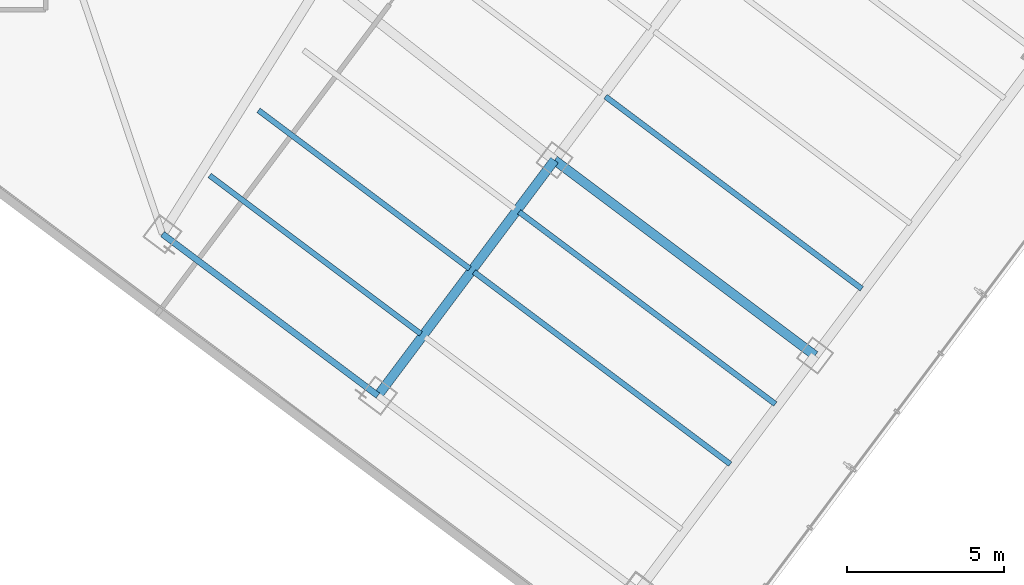
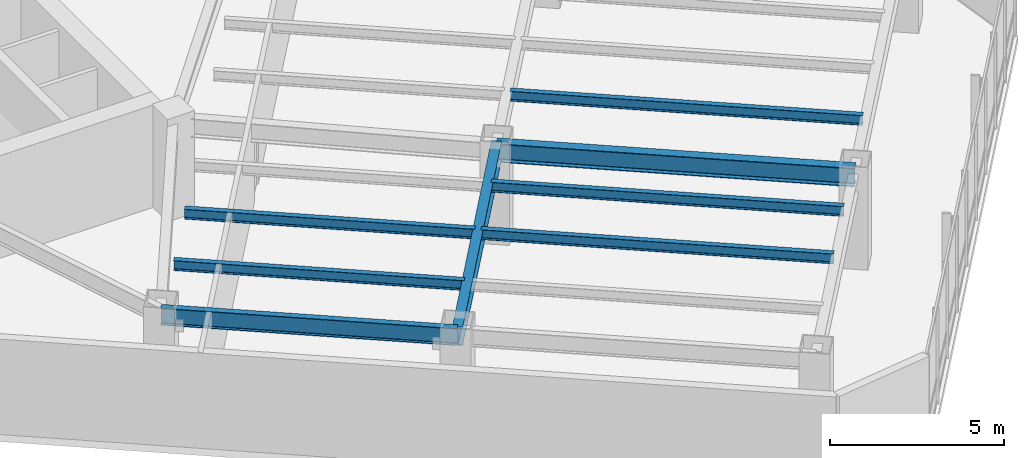
# One storey, part 7 of 29: 8 beams.
"""IFC4 building model written with IfcOpenShell, lengths in metres."""

from ifc_helpers import new_model, si_unit, direction, frame, origin, origin_2d, place, context, subcontext, project, spatial, i_section, extrude, material, material_profile, profile_set, type_object, element, save


model = new_model("IFC4")

# Units and contexts
model_context = context("Model", 3, precision=1e-05, world=origin(), true_north=direction((0.0, 1.0)))
body_context = subcontext(model_context, "Body", "Model", "MODEL_VIEW")
ifc_project = project(units=[si_unit("LENGTHUNIT", "METRE"), si_unit("AREAUNIT", "SQUARE_METRE"), si_unit("VOLUMEUNIT", "CUBIC_METRE"), si_unit("PLANEANGLEUNIT", "RADIAN"), si_unit("MASSUNIT", "GRAM", prefix="KILO")], contexts=[model_context])

# Site, building, storey
site_placement = place(None, origin())
site = spatial("IfcSite", under=ifc_project, at=site_placement, CompositionType="ELEMENT")
building_placement = place(site_placement, origin())
building = spatial("IfcBuilding", under=site, at=building_placement, Name="Hatsunagi Terrace Concourse", CompositionType="ELEMENT")
storey_placement = place(building_placement, frame((0.0, 0.0, 115.64990234375)))
storey = spatial("IfcBuildingStorey", under=building, at=storey_placement, Name="L30", CompositionType="ELEMENT", Elevation=115.64990234375)

# Beams
ifc_material_1 = material(Name="Steel SN490B", Category="steel")
ifc_material_profile_1 = material_profile(ifc_material_1, i_section(OverallWidth=0.175048828125, OverallDepth=0.35009765625, WebThickness=0.007080078125, FlangeThickness=0.010986328125, FilletRadius=0.012939453125, at=origin_2d()), Name="H-350x175x7x11")
ifc_profile_set_1 = profile_set([ifc_material_profile_1], Name="Steel SN490B")
beam_type_1 = type_object("IfcBeamType", Name="HotelJoist_H_350x175", PredefinedType="JOIST", material=ifc_profile_set_1)
for number, where, z_axis, x_axis, name in (
    (1, (40.18798828125, 17.908935546875, 3.175048828125), (0.800003475366, -0.59999536615, 0.0), (0.59999536615, 0.800003475366, 0.0), "Beam J-02 J-L30-SE-2-46"),
    (2, (41.748046875, 19.989013671875, 3.175048828125), (0.799989573921, -0.600013901187, 0.0), (0.600013901187, 0.799989573921, 0.0), "Beam J-02 J-L30-SE-2-72"),
):
    element("IfcBeam", number, at=place(storey_placement, frame(where, z_axis=z_axis, x_axis=x_axis)), inside=storey, type_object=beam_type_1, Name=name, PredefinedType="JOIST", context=body_context, shape_type="SweptSolid", body=[
        extrude(i_section(OverallWidth=0.175048828125, OverallDepth=0.35009765625, WebThickness=0.007080078125, FlangeThickness=0.010986328125, FilletRadius=0.012939453125, at=origin_2d()), origin(), (0.0, 0.0, 1.0), 8.429931640625),
    ])
beam_1_placement = place(storey_placement, frame((48.6279296875, 14.8291015625, 3.175048828125), z_axis=(0.799994272423, -0.600007636694, 0.0), x_axis=(0.600007636694, 0.799994272423, 0.0)))
element("IfcBeam", 3, at=beam_1_placement, inside=storey, type_object=beam_type_1, Name="Beam J-02 J-L30-SE-3-72", PredefinedType="JOIST", context=body_context, shape_type="SweptSolid", body=[
    extrude(i_section(OverallWidth=0.175048828125, OverallDepth=0.35009765625, WebThickness=0.007080078125, FlangeThickness=0.010986328125, FilletRadius=0.012939453125, at=origin_2d()), origin(), (0.0, 0.0, 1.0), 10.230224609375),
])
beam_2_placement = place(storey_placement, frame((50.068115234375, 16.7490234375, 3.175048828125), z_axis=(0.799997136125, -0.600003818481, 0.0), x_axis=(0.600003818481, 0.799997136125, 0.0)))
element("IfcBeam", 4, at=beam_2_placement, inside=storey, type_object=beam_type_1, Name="Beam J-02 J-L30-SE-3-96", PredefinedType="JOIST", context=body_context, shape_type="SweptSolid", body=[
    extrude(i_section(OverallWidth=0.175048828125, OverallDepth=0.35009765625, WebThickness=0.007080078125, FlangeThickness=0.010986328125, FilletRadius=0.012939453125, at=origin_2d()), origin(), (0.0, 0.0, 1.0), 10.229736328125),
])
beam_3_placement = place(storey_placement, frame((52.827880859375, 20.428955078125, 3.175048828125), z_axis=(0.800005727586, -0.599992363142, 0.0), x_axis=(0.599992363142, 0.800005727586, 0.0)))
element("IfcBeam", 5, at=beam_3_placement, inside=storey, type_object=beam_type_1, Name="Beam J-02 J-L30-SE-3-142", PredefinedType="JOIST", context=body_context, shape_type="SweptSolid", body=[
    extrude(i_section(OverallWidth=0.175048828125, OverallDepth=0.35009765625, WebThickness=0.007080078125, FlangeThickness=0.010986328125, FilletRadius=0.012939453125, at=origin_2d()), origin(), (0.0, 0.0, 1.0), 10.22998046875),
])
ifc_material_2 = material(Name="Steel SN490B", Category="steel")
ifc_material_profile_2 = material_profile(ifc_material_2, i_section(OverallWidth=0.300048828125, OverallDepth=0.64990234375, WebThickness=0.012939453125, FlangeThickness=0.02197265625, FilletRadius=0.01806640625, at=origin_2d()), Name="H-650x300x13x22")
ifc_profile_set_2 = profile_set([ifc_material_profile_2], Name="Steel SN490B")
beam_type_2 = type_object("IfcBeamType", Name="OfficeLowGirder_H_650x300", PredefinedType="BEAM", material=ifc_profile_set_2)
beam_4_placement = place(storey_placement, frame((45.56005859375, 10.8798828125, 3.025146484375), z_axis=(0.599991688754, 0.800006233367, 0.0), x_axis=(-0.800006233367, 0.599991688754, 0.0)))
element("IfcBeam", 6, at=beam_4_placement, inside=storey, type_object=beam_type_2, Name="Beam G-05 BM-L30-SET-2A", PredefinedType="BEAM", context=body_context, shape_type="SweptSolid", body=[
    extrude(i_section(OverallWidth=0.300048828125, OverallDepth=0.64990234375, WebThickness=0.012939453125, FlangeThickness=0.02197265625, FilletRadius=0.01806640625, at=origin_2d()), origin(), (0.0, 0.0, 1.0), 9.39990234375),
])
beam_5_placement = place(storey_placement, frame((51.199951171875, 18.39990234375, 3.025146484375), z_axis=(0.800002816985, -0.599996244001, 0.0), x_axis=(0.599996244001, 0.800002816985, 0.0)))
element("IfcBeam", 7, at=beam_5_placement, inside=storey, type_object=beam_type_2, Name="Beam G-05 BM-L30-SE-M3", PredefinedType="BEAM", context=body_context, shape_type="SweptSolid", body=[
    extrude(i_section(OverallWidth=0.300048828125, OverallDepth=0.64990234375, WebThickness=0.012939453125, FlangeThickness=0.02197265625, FilletRadius=0.01806640625, at=origin_2d()), origin(), (0.0, 0.0, 1.0), 10.400146484375),
])
ifc_material_3 = material(Name="Steel SN490B", Category="steel")
ifc_material_profile_3 = material_profile(ifc_material_3, i_section(OverallWidth=0.199951171875, OverallDepth=0.60009765625, WebThickness=0.010986328125, FlangeThickness=0.01708984375, FilletRadius=0.01806640625, at=origin_2d()), Name="H-600x200x11x17")
ifc_profile_set_3 = profile_set([ifc_material_profile_3], Name="Steel SN490B")
beam_type_3 = type_object("IfcBeamType", Name="PerimeterSpandrel_H_600x200", PredefinedType="SPANDREL", material=ifc_profile_set_3)
beam_6_placement = place(storey_placement, frame((38.679931640625, 16.0400390625, 3.050048828125), z_axis=(0.799996593451, -0.600004542038, 0.0), x_axis=(0.600004542038, 0.799996593451, 0.0)))
element("IfcBeam", 8, at=beam_6_placement, inside=storey, type_object=beam_type_3, Name="Beam SP-01 BM-L30-SE-SW2", PredefinedType="SPANDREL", context=body_context, shape_type="SweptSolid", body=[
    extrude(i_section(OverallWidth=0.199951171875, OverallDepth=0.60009765625, WebThickness=0.010986328125, FlangeThickness=0.01708984375, FilletRadius=0.01806640625, at=origin_2d()), origin(), (0.0, 0.0, 1.0), 8.60009765625),
])

save(model, "model.ifc")
